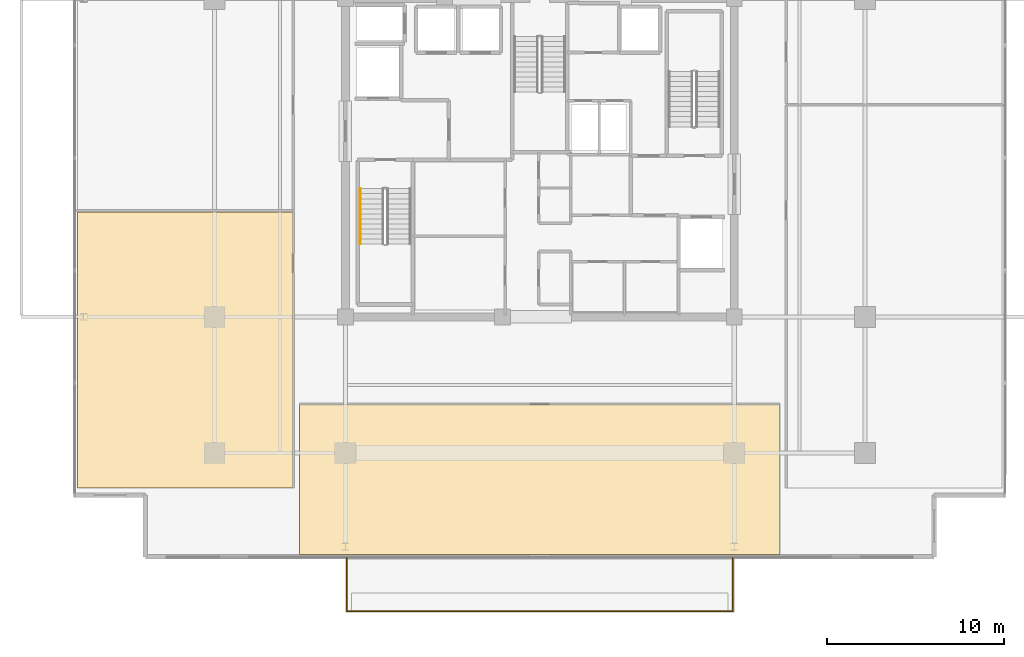
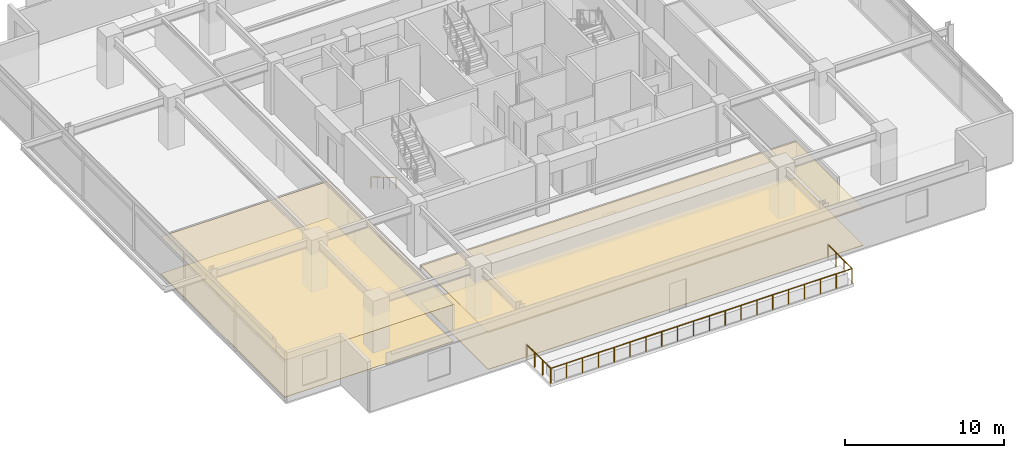
# One storey, part 19 of 23: 4 coverings, 2 railings.
"""IFC4 building model written with IfcOpenShell, lengths in metres."""

from ifc_helpers import new_model, si_unit, direction, frame, origin, origin_2d, place, context, subcontext, project, spatial, polyline, circle, outline, extrude, material, layer, layer_set, type_object, element, save


model = new_model("IFC4")

# Units and contexts
model_context = context("Model", 3, precision=1e-05, world=origin(), true_north=direction((0.0, 1.0)))
body_context = subcontext(model_context, "Body", "Model", "MODEL_VIEW")
ifc_project = project(units=[si_unit("LENGTHUNIT", "METRE"), si_unit("AREAUNIT", "SQUARE_METRE"), si_unit("VOLUMEUNIT", "CUBIC_METRE"), si_unit("PLANEANGLEUNIT", "RADIAN"), si_unit("MASSUNIT", "GRAM", prefix="KILO")], contexts=[model_context])

# Site, building, storey
site_placement = place(None, origin())
site = spatial("IfcSite", under=ifc_project, at=site_placement, CompositionType="ELEMENT")
building_placement = place(site_placement, origin())
building = spatial("IfcBuilding", under=site, at=building_placement, Name="Kovane Verandah Tower", CompositionType="ELEMENT")
storey_placement = place(building_placement, frame((0.0, 0.0, 243.199951171875)))
storey = spatial("IfcBuildingStorey", under=building, at=storey_placement, Name="L56", CompositionType="ELEMENT", Elevation=243.199951171875)

# Coverings
ifc_material_1 = material(Name="Perforated Acoustic Mineral-Fibre Ceiling Tile", Category="gypsum")
ifc_layer_1 = layer(ifc_material_1, 0.02490234375)
ifc_layer_set_1 = layer_set([ifc_layer_1], Name="Perforated Acoustic Mineral-Fibre Ceiling Tile")
covering_type_1 = type_object("IfcCoveringType", Name="CV-CEIL-25", PredefinedType="CEILING", material=ifc_layer_set_1)
covering_1_placement = place(storey_placement, frame((0.0, 0.0, 2.824951171875)))
element("IfcCovering", 1, at=covering_1_placement, inside=storey, type_object=covering_type_1, Name="L56 Breakout Pantry S1 Acoustic Ceiling", PredefinedType="CEILING", context=body_context, shape_type="SweptSolid", body=[
    extrude(outline(polyline([(26.39990234375, 5.070068359375), (53.60009765625, 5.070068359375), (53.60009765625, 13.550048828125), (26.39990234375, 13.550048828125), (26.39990234375, 5.070068359375)])), origin(), (0.0, 0.0, 1.0), 0.025146484375),
])
covering_2_placement = place(storey_placement, frame((0.0, 0.0, 2.824951171875)))
element("IfcCovering", 2, at=covering_2_placement, inside=storey, type_object=covering_type_1, Name="L56 Collaboration Hub W1 Acoustic Ceiling", PredefinedType="CEILING", context=body_context, shape_type="SweptSolid", body=[
    extrude(outline(polyline([(13.84228515625, 8.820068359375), (26.050048828125, 8.820068359375), (26.050048828125, 24.441162109375), (13.84228515625, 24.441162109375), (13.84228515625, 8.820068359375)])), origin(), (0.0, 0.0, 1.0), 0.025146484375),
])
ifc_material_2 = material(Name="Polished Terrazzo and Raised-Access Carpet Tile Finish", Category="concrete")
ifc_layer_2 = layer(ifc_material_2, 0.030029296875)
ifc_layer_set_2 = layer_set([ifc_layer_2], Name="Polished Terrazzo and Raised-Access Carpet Tile Finish")
covering_type_2 = type_object("IfcCoveringType", Name="CV-FLOR-30", PredefinedType="FLOORING", material=ifc_layer_set_2)
covering_3_placement = place(storey_placement, origin())
element("IfcCovering", 3, at=covering_3_placement, inside=storey, type_object=covering_type_2, Name="L56 Breakout Pantry S1 Floor Finish", PredefinedType="FLOORING", context=body_context, shape_type="SweptSolid", body=[
    extrude(outline(polyline([(26.39990234375, 5.070068359375), (53.60009765625, 5.070068359375), (53.60009765625, 13.550048828125), (26.39990234375, 13.550048828125), (26.39990234375, 5.070068359375)])), origin(), (0.0, 0.0, 1.0), 0.030029296875),
])
covering_4_placement = place(storey_placement, origin())
element("IfcCovering", 4, at=covering_4_placement, inside=storey, type_object=covering_type_2, Name="L56 Collaboration Hub W1 Floor Finish", PredefinedType="FLOORING", context=body_context, shape_type="SweptSolid", body=[
    extrude(outline(polyline([(13.84228515625, 8.820068359375), (26.050048828125, 8.820068359375), (26.050048828125, 24.441162109375), (13.84228515625, 24.441162109375), (13.84228515625, 8.820068359375)])), origin(), (0.0, 0.0, 1.0), 0.030029296875),
])

# Railings
ifc_material_3 = material(Name="Laminated Glass and Pale-Champagne Stainless Balustrade", Category="glass")
railing_type_1 = type_object("IfcRailingType", Name="RL-BAL-1150", PredefinedType="BALUSTRADE", material=ifc_material_3)
railing_1_placement = place(storey_placement, frame((29.080078125, 4.8701171875, 0.0)))
element("IfcRailing", 5, at=railing_1_placement, inside=storey, type_object=railing_type_1, Name="L56 S Verandah Glass Balustrade", PredefinedType="BALUSTRADE", context=body_context, shape_type="SweptSolid", body=[
    extrude(circle(Radius=0.02392578125, at=origin_2d()), frame((0.0, 0.0, 1.1259765625), z_axis=(0.0, -1.0, 0.0), x_axis=(1.0, 0.0, 0.0)), (0.0, 0.0, 1.0), 3.02001953125),
    extrude(circle(Radius=0.02392578125, at=origin_2d()), frame((0.0, -3.02001953125, 1.1259765625), z_axis=(1.0, 0.0, 0.0), x_axis=(0.0, 1.0, 0.0)), (0.0, 0.0, 1.0), 21.83984375),
    extrude(circle(Radius=0.02392578125, at=origin_2d()), frame((21.83984375, -3.02001953125, 1.1259765625), z_axis=(0.0, 1.0, 0.0), x_axis=(-1.0, 0.0, 0.0)), (0.0, 0.0, 1.0), 3.02001953125),
    extrude(circle(Radius=0.02099609375, at=origin_2d()), origin(), (0.0, 0.0, 1.0), 1.101806640625),
    extrude(circle(Radius=0.02099609375, at=origin_2d()), frame((0.0, -1.006591796875, 0.0)), (0.0, 0.0, 1.0), 1.101806640625),
    extrude(circle(Radius=0.02099609375, at=origin_2d()), frame((0.0, -2.013427734375, 0.0)), (0.0, 0.0, 1.0), 1.101806640625),
    extrude(circle(Radius=0.02099609375, at=origin_2d()), frame((0.0, -3.02001953125, 0.0)), (0.0, 0.0, 1.0), 1.101806640625),
    extrude(circle(Radius=0.02099609375, at=origin_2d()), frame((1.1494140625, -3.02001953125, 0.0)), (0.0, 0.0, 1.0), 1.101806640625),
    extrude(circle(Radius=0.02099609375, at=origin_2d()), frame((2.298828125, -3.02001953125, 0.0)), (0.0, 0.0, 1.0), 1.101806640625),
    extrude(circle(Radius=0.02099609375, at=origin_2d()), frame((3.448486328125, -3.02001953125, 0.0)), (0.0, 0.0, 1.0), 1.101806640625),
    extrude(circle(Radius=0.02099609375, at=origin_2d()), frame((4.597900390625, -3.02001953125, 0.0)), (0.0, 0.0, 1.0), 1.101806640625),
    extrude(circle(Radius=0.02099609375, at=origin_2d()), frame((5.747314453125, -3.02001953125, 0.0)), (0.0, 0.0, 1.0), 1.101806640625),
    extrude(circle(Radius=0.02099609375, at=origin_2d()), frame((6.896728515625, -3.02001953125, 0.0)), (0.0, 0.0, 1.0), 1.101806640625),
    extrude(circle(Radius=0.02099609375, at=origin_2d()), frame((8.046142578125, -3.02001953125, 0.0)), (0.0, 0.0, 1.0), 1.101806640625),
    extrude(circle(Radius=0.02099609375, at=origin_2d()), frame((9.19580078125, -3.02001953125, 0.0)), (0.0, 0.0, 1.0), 1.101806640625),
    extrude(circle(Radius=0.02099609375, at=origin_2d()), frame((10.34521484375, -3.02001953125, 0.0)), (0.0, 0.0, 1.0), 1.101806640625),
    extrude(circle(Radius=0.02099609375, at=origin_2d()), frame((11.49462890625, -3.02001953125, 0.0)), (0.0, 0.0, 1.0), 1.101806640625),
    extrude(circle(Radius=0.02099609375, at=origin_2d()), frame((12.64404296875, -3.02001953125, 0.0)), (0.0, 0.0, 1.0), 1.101806640625),
    extrude(circle(Radius=0.02099609375, at=origin_2d()), frame((13.793701171875, -3.02001953125, 0.0)), (0.0, 0.0, 1.0), 1.101806640625),
    extrude(circle(Radius=0.02099609375, at=origin_2d()), frame((14.943115234375, -3.02001953125, 0.0)), (0.0, 0.0, 1.0), 1.101806640625),
    extrude(circle(Radius=0.02099609375, at=origin_2d()), frame((16.092529296875, -3.02001953125, 0.0)), (0.0, 0.0, 1.0), 1.101806640625),
    extrude(circle(Radius=0.02099609375, at=origin_2d()), frame((17.241943359375, -3.02001953125, 0.0)), (0.0, 0.0, 1.0), 1.101806640625),
    extrude(circle(Radius=0.02099609375, at=origin_2d()), frame((18.391357421875, -3.02001953125, 0.0)), (0.0, 0.0, 1.0), 1.101806640625),
    extrude(circle(Radius=0.02099609375, at=origin_2d()), frame((19.541015625, -3.02001953125, 0.0)), (0.0, 0.0, 1.0), 1.101806640625),
    extrude(circle(Radius=0.02099609375, at=origin_2d()), frame((20.6904296875, -3.02001953125, 0.0)), (0.0, 0.0, 1.0), 1.101806640625),
    extrude(circle(Radius=0.02099609375, at=origin_2d()), frame((21.83984375, -3.02001953125, 0.0)), (0.0, 0.0, 1.0), 1.101806640625),
    extrude(circle(Radius=0.02099609375, at=origin_2d()), frame((21.83984375, -2.013427734375, 0.0)), (0.0, 0.0, 1.0), 1.101806640625),
    extrude(circle(Radius=0.02099609375, at=origin_2d()), frame((21.83984375, -1.006591796875, 0.0)), (0.0, 0.0, 1.0), 1.101806640625),
    extrude(circle(Radius=0.02099609375, at=origin_2d()), frame((21.83984375, 0.0, 0.0)), (0.0, 0.0, 1.0), 1.101806640625),
])
ifc_material_4 = material(Name="Brushed Stainless Steel Handrail", Category="steel")
railing_type_2 = type_object("IfcRailingType", Name="RL-HAND-920", PredefinedType="HANDRAIL", material=ifc_material_4)
railing_2_placement = place(storey_placement, frame((29.85009765625, 25.75, 0.166748046875)))
element("IfcRailing", 6, at=railing_2_placement, inside=storey, type_object=railing_type_2, Name="L56 ST-01 stair handrail 1", PredefinedType="HANDRAIL", context=body_context, shape_type="SweptSolid", body=[
    extrude(circle(Radius=0.02392578125, at=origin_2d()), frame((0.0, 0.0, 0.8759765625), z_axis=(0.0, -0.863239559939, 0.504794475164), x_axis=(1.0, 0.0, 0.0)), (0.0, 0.0, 1.0), 3.631591796875),
    extrude(circle(Radius=0.02099609375, at=origin_2d()), origin(), (0.0, 0.0, 1.0), 0.851806640625),
    extrude(circle(Radius=0.02099609375, at=origin_2d()), frame((0.0, -0.78369140625, 0.458251953125)), (0.0, 0.0, 1.0), 0.851806640625),
    extrude(circle(Radius=0.02099609375, at=origin_2d()), frame((0.0, -1.5673828125, 0.91650390625)), (0.0, 0.0, 1.0), 0.851806640625),
    extrude(circle(Radius=0.02099609375, at=origin_2d()), frame((0.0, -2.351318359375, 1.375)), (0.0, 0.0, 1.0), 0.851806640625),
    extrude(circle(Radius=0.02099609375, at=origin_2d()), frame((0.0, -3.135009765625, 1.833251953125)), (0.0, 0.0, 1.0), 0.851806640625),
])

save(model, "model.ifc")
